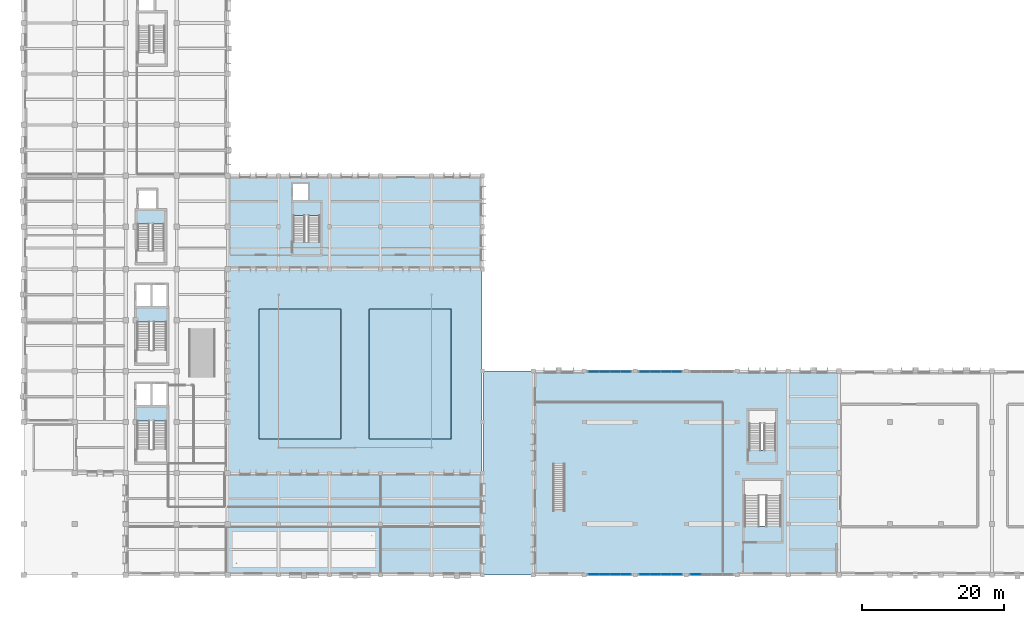
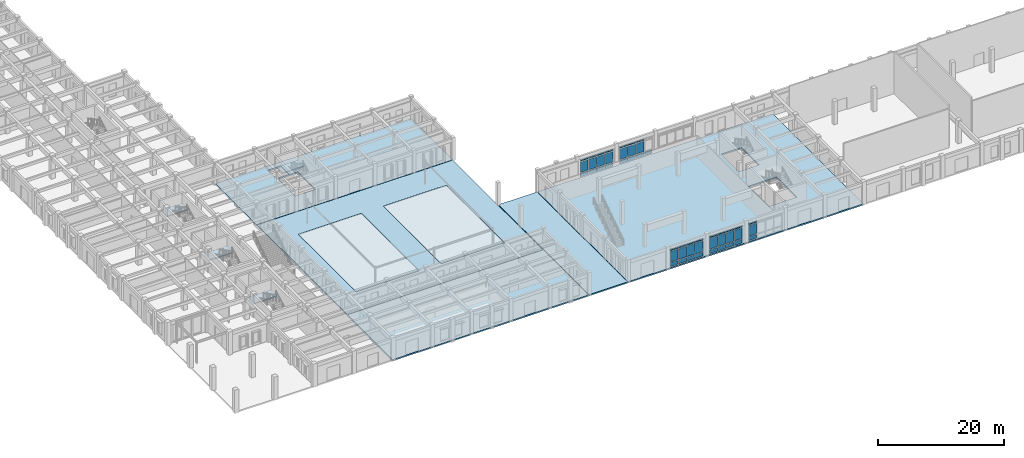
# One storey, part 16 of 43: 49 plates, 11 slabs, 9 elements without a shape of their own.
"""IFC4 building model written with IfcOpenShell, lengths in metres."""

import ifcopenshell
import ifcopenshell.guid

model = None  # the IFC model being written
_history = None  # IfcOwnerHistory: only IFC2X3 demands one
_inside = {}  # id of a spatial element -> (the spatial element, [elements in it])
_under = {}  # id of a project, library or spatial element -> (it, [spatial elements below it])
_declared = {}  # id of a project -> (the project, [libraries it declares])
_typed = {}  # id of a type object -> (the type object, [elements of that type])
_made_of = {}  # id of a material, layer set ... -> (it, [elements and type objects made of it])


def new_model(schema):
    """Start an empty IFC model of exactly this schema.

    Asked for "IFC4X3", IfcOpenShell would pick the latest addendum, in which some entities
    have other attributes; the version numbers below select the first issue.
    IFC2X3 requires an IfcOwnerHistory on every rooted entity: one is made here for all.
    """
    global model, _history
    if schema == "IFC4X3":
        model = ifcopenshell.file(schema_version=(4, 3, 0, 0))
    else:
        model = ifcopenshell.file(schema=schema)
    _inside.clear()
    _under.clear()
    _declared.clear()
    _typed.clear()
    _made_of.clear()
    _history = None
    if model.schema == "IFC2X3":
        org = make("IfcOrganization", Name="unknown")
        user = make(
            "IfcPersonAndOrganization",
            ThePerson=make("IfcPerson", FamilyName="unknown"),
            TheOrganization=org,
        )
        app = make(
            "IfcApplication",
            ApplicationDeveloper=org,
            Version="unknown",
            ApplicationFullName="unknown",
            ApplicationIdentifier="unknown",
        )
        _history = make(
            "IfcOwnerHistory",
            OwningUser=user,
            OwningApplication=app,
            ChangeAction="ADDED",
            CreationDate=0,
        )
    return model


def make(cls, **values):
    """One entity of the class cls with the attributes given. An attribute that is None is left unset."""
    return model.create_entity(
        cls, **{name: value for name, value in values.items() if value is not None}
    )


def rooted(cls, **values):
    """An entity with a GlobalId (a new one), such as an element, a storey or a relation."""
    return make(cls, GlobalId=ifcopenshell.guid.new(), OwnerHistory=_history, **values)


def si_unit(unit_type, name, prefix=None):
    """IfcSIUnit, for example si_unit("LENGTHUNIT", "METRE", prefix="MILLI")."""
    return make("IfcSIUnit", UnitType=unit_type, Prefix=prefix, Name=name)


def assignment(units):
    """IfcUnitAssignment: the units of a project."""
    return None if units is None else make("IfcUnitAssignment", Units=units)


def point(xyz):
    """IfcCartesianPoint."""
    return None if xyz is None else make("IfcCartesianPoint", Coordinates=xyz)


def direction(xyz):
    """IfcDirection."""
    return None if xyz is None else make("IfcDirection", DirectionRatios=xyz)


def frame(location, z_axis=None, x_axis=None):
    """IfcAxis2Placement3D, a coordinate frame: its origin and axes. An axis left out is left unset."""
    return make(
        "IfcAxis2Placement3D",
        Location=point(location),
        Axis=direction(z_axis),
        RefDirection=direction(x_axis),
    )


def frame_2d(location, x_axis=None):
    """IfcAxis2Placement2D, a coordinate frame in the plane: its origin and x axis."""
    return make(
        "IfcAxis2Placement2D", Location=point(location), RefDirection=direction(x_axis)
    )


def origin():
    """The frame at (0, 0, 0) with its axes left unset."""
    return frame((0.0, 0.0, 0.0))


def origin_2d():
    """The frame at (0, 0) in the plane with its x axis left unset."""
    return frame_2d((0.0, 0.0))


def place(relative_to, where):
    """IfcLocalPlacement: puts the frame where relative to a parent placement (None: the world)."""
    return make(
        "IfcLocalPlacement", PlacementRelTo=relative_to, RelativePlacement=where
    )


def context(
    kind, dimensions, precision=None, world=None, true_north=None, identifier=None
):
    """IfcGeometricRepresentationContext, for example the 3D "Model" context."""
    return make(
        "IfcGeometricRepresentationContext",
        ContextIdentifier=identifier,
        ContextType=kind,
        CoordinateSpaceDimension=dimensions,
        Precision=precision,
        WorldCoordinateSystem=world,
        TrueNorth=true_north,
    )


def subcontext(parent, identifier, kind, view, scale=None):
    """IfcGeometricRepresentationSubContext, for example "Body" below "Model"."""
    return make(
        "IfcGeometricRepresentationSubContext",
        ContextIdentifier=identifier,
        ContextType=kind,
        ParentContext=parent,
        TargetScale=scale,
        TargetView=view,
    )


def project(units=None, contexts=None):
    """IfcProject with its units and contexts."""
    return rooted(
        "IfcProject",
        Name="project",
        RepresentationContexts=contexts,
        UnitsInContext=assignment(units),
    )


def spatial(cls, under=None, at=None, **own):
    """A site, building, storey or space (cls), placed at a placement, below another one or the project."""
    s = rooted(cls, ObjectPlacement=at, **own)
    if under is not None:
        _under.setdefault(under.id(), (under, []))[1].append(s)
    return s


def polyline(points):
    """IfcPolyline through the points."""
    return make("IfcPolyline", Points=[point(p) for p in points])


def profile(cls, at=None, kind="AREA", **sizes):
    """A parametric profile (cls). Its sizes go by their IFC names, for example OverallWidth=200.0."""
    return make(cls, ProfileType=kind, Position=at, **sizes)


def rectangle(**sizes):
    """IfcRectangleProfileDef."""
    return profile("IfcRectangleProfileDef", **sizes)


def outline(outer, holes=None, kind="AREA"):
    """IfcArbitraryClosedProfileDef: a profile drawn as a closed curve; with holes, ...WithVoids."""
    if holes is None:
        return make("IfcArbitraryClosedProfileDef", ProfileType=kind, OuterCurve=outer)
    return make(
        "IfcArbitraryProfileDefWithVoids",
        ProfileType=kind,
        OuterCurve=outer,
        InnerCurves=holes,
    )


def extrude(swept, where, along, depth):
    """IfcExtrudedAreaSolid: the profile swept, set in the frame where, extruded along a direction by depth."""
    return make(
        "IfcExtrudedAreaSolid",
        SweptArea=swept,
        Position=where,
        ExtrudedDirection=direction(along),
        Depth=depth,
    )


def shape(context_of_items, identifier, shape_type, items):
    """IfcShapeRepresentation: the items that make up one representation, for example the "Body"."""
    return make(
        "IfcShapeRepresentation",
        ContextOfItems=context_of_items,
        RepresentationIdentifier=identifier,
        RepresentationType=shape_type,
        Items=items,
    )


def material(Name=None, Category=None):
    """IfcMaterial."""
    return make("IfcMaterial", Name=Name, Category=Category)


def layer(
    of_material, thickness, ventilated=None, Name=None, Category=None, Priority=None
):
    """IfcMaterialLayer: one layer of a wall or slab, of a material (None: an air gap)."""
    return make(
        "IfcMaterialLayer",
        Material=of_material,
        LayerThickness=thickness,
        IsVentilated=ventilated,
        Name=Name,
        Category=Category,
        Priority=Priority,
    )


def layer_set(layers, Name=None):
    """IfcMaterialLayerSet."""
    return make("IfcMaterialLayerSet", MaterialLayers=layers, LayerSetName=Name)


def made_of(thing, what):
    """Note that an element or type object is made of a material, layer set ...; save() writes the relation."""
    if what is not None:
        _made_of.setdefault(what.id(), (what, []))[1].append(thing)
    return thing


def type_object(cls, material=None, **own):
    """A type object (cls), such as IfcWallType, which elements share."""
    return made_of(rooted(cls, **own), material)


def element(
    cls,
    number,
    at=None,
    inside=None,
    cuts=None,
    type_object=None,
    material=None,
    context=None,
    identifier="Body",
    shape_type=None,
    held_by="IfcProductDefinitionShape",
    body=None,
    shapes=None,
    **own,
):
    """One element of the class cls, such as IfcWall. Its Tag is "e" and its number.

    at: its placement. inside: the storey or other place that contains it. cuts: it is an
    opening in that element (IfcRelVoidsElement). A single representation is given by context,
    identifier, shape_type and body (its items); several are given by shapes. held_by: the class
    of the entity that holds the representations. save() writes the other relations.
    """
    e = rooted(cls, Tag="e%d" % number, ObjectPlacement=at, **own)
    if body is not None:
        shapes = [shape(context, identifier, shape_type, body)]
    if shapes is not None:
        e.Representation = make(held_by, Representations=shapes)
    if inside is not None:
        _inside.setdefault(inside.id(), (inside, []))[1].append(e)
    if cuts is not None:
        rooted(
            "IfcRelVoidsElement", RelatingBuildingElement=cuts, RelatedOpeningElement=e
        )
    if type_object is not None:
        _typed.setdefault(type_object.id(), (type_object, []))[1].append(e)
    return made_of(e, material)


def aggregate(whole, parts):
    """IfcRelAggregates: a whole, such as a stair, and the parts it consists of."""
    return rooted("IfcRelAggregates", RelatingObject=whole, RelatedObjects=parts)


def save(model, path):
    """Write the relations noted so far, then the file.

    IfcRelAggregates (storeys below a building ...), IfcRelContainedInSpatialStructure (elements
    in a storey), IfcRelDefinesByType, IfcRelAssociatesMaterial and IfcRelDeclares: one each for
    every whole, place, type object, material and project.
    """
    for whole, parts in _under.values():
        aggregate(whole, parts)
    for where, things in _inside.values():
        rooted(
            "IfcRelContainedInSpatialStructure",
            RelatedElements=things,
            RelatingStructure=where,
        )
    for kind, things in _typed.values():
        rooted("IfcRelDefinesByType", RelatedObjects=things, RelatingType=kind)
    for what, things in _made_of.values():
        rooted("IfcRelAssociatesMaterial", RelatedObjects=things, RelatingMaterial=what)
    for by, libraries in _declared.values():
        rooted("IfcRelDeclares", RelatingContext=by, RelatedDefinitions=libraries)
    model.write(path)


model = new_model("IFC4")

# Units and contexts
model_context = context("Model", 3, precision=1e-05, world=origin(), true_north=direction((0.0, 1.0)))
body_context = subcontext(model_context, "Body", "Model", "MODEL_VIEW")
ifc_project = project(units=[si_unit("LENGTHUNIT", "METRE"), si_unit("AREAUNIT", "SQUARE_METRE"), si_unit("VOLUMEUNIT", "CUBIC_METRE"), si_unit("PLANEANGLEUNIT", "RADIAN"), si_unit("MASSUNIT", "GRAM", prefix="KILO")], contexts=[model_context])

# Site, building, storey
site_placement = place(None, origin())
site = spatial("IfcSite", under=ifc_project, at=site_placement, CompositionType="ELEMENT")
building_placement = place(site_placement, origin())
building = spatial("IfcBuilding", under=site, at=building_placement, Name="Alvorim Cloister Faculty of Sciences", CompositionType="ELEMENT")
storey_placement = place(building_placement, origin())
storey = spatial("IfcBuildingStorey", under=building, at=storey_placement, Name="L00", CompositionType="ELEMENT", Elevation=0.0)

# Curtain wall, plates
ifc_material_1 = material(Name="Aluminium and Low-E Glass Curtain Wall", Category="aluminium")
curtain_wall_type = type_object("IfcCurtainWallType", Name="CW-GLZ-6120x3630", PredefinedType="USERDEFINED", material=ifc_material_1)
curtain_wall_1_placement = place(storey_placement, origin())
curtain_wall_1 = element("IfcCurtainWall", 1, at=curtain_wall_1_placement, inside=storey, type_object=curtain_wall_type, Name="L00 Entrance and Atrium Glazed Curtain Wall CW-0001", ObjectType="UNITISED CURTAIN WALL", PredefinedType="USERDEFINED")
ifc_material_2 = material(Name="Double Low-E Laminated Glass", Category="glass")
ifc_layer_1 = layer(ifc_material_2, 0.031982421875)
ifc_layer_set_1 = layer_set([ifc_layer_1], Name="Double Low-E Laminated Glass")
plate_type_1 = type_object("IfcPlateType", Name="PN-GLZ-32", PredefinedType="CURTAIN_PANEL", material=ifc_layer_set_1)
plate_1_placement = place(storey_placement, frame((94.923828125, 0.090087890625, 0.159912109375), z_axis=(0.0, 0.0, 1.0), x_axis=(1.0, 0.0, 0.0)))
plate_1 = element("IfcPlate", 2, at=plate_1_placement, type_object=plate_type_1, Name="CW-01 panel 1.1", PredefinedType="CURTAIN_PANEL", context=body_context, shape_type="SweptSolid", body=[
    extrude(rectangle(XDim=1.41748046875, YDim=0.031982421875, at=origin_2d()), origin(), (0.0, 0.0, 1.0), 0.7099609375),
])
plate_2_placement = place(storey_placement, frame((94.923828125, 0.090087890625, 1.030029296875), z_axis=(0.0, 0.0, 1.0), x_axis=(1.0, 0.0, 0.0)))
plate_2 = element("IfcPlate", 3, at=plate_2_placement, type_object=plate_type_1, Name="CW-01 panel 1.2", PredefinedType="CURTAIN_PANEL", context=body_context, shape_type="SweptSolid", body=[
    extrude(rectangle(XDim=1.41748046875, YDim=0.031982421875, at=origin_2d()), origin(), (0.0, 0.0, 1.0), 2.02001953125),
])
plate_3_placement = place(storey_placement, frame((94.923828125, 0.090087890625, 3.2099609375), z_axis=(0.0, 0.0, 1.0), x_axis=(1.0, 0.0, 0.0)))
plate_3 = element("IfcPlate", 4, at=plate_3_placement, type_object=plate_type_1, Name="CW-01 panel 1.3", PredefinedType="CURTAIN_PANEL", context=body_context, shape_type="SweptSolid", body=[
    extrude(rectangle(XDim=1.41748046875, YDim=0.031982421875, at=origin_2d()), origin(), (0.0, 0.0, 1.0), 0.260009765625),
])
aggregate(curtain_wall_1, [plate_1, plate_2, plate_3])

curtain_wall_2_placement = place(storey_placement, origin())
curtain_wall_2 = element("IfcCurtainWall", 5, at=curtain_wall_2_placement, inside=storey, type_object=curtain_wall_type, Name="L00 Entrance and Atrium Glazed Curtain Wall CW-0003", ObjectType="UNITISED CURTAIN WALL", PredefinedType="USERDEFINED")
plate_4_placement = place(storey_placement, frame((80.523681640625, 0.090087890625, 0.159912109375), z_axis=(0.0, 0.0, 1.0), x_axis=(1.0, 0.0, 0.0)))
plate_4 = element("IfcPlate", 6, at=plate_4_placement, type_object=plate_type_1, Name="CW-01 panel 1.1", PredefinedType="CURTAIN_PANEL", context=body_context, shape_type="SweptSolid", body=[
    extrude(rectangle(XDim=1.41748046875, YDim=0.031982421875, at=origin_2d()), origin(), (0.0, 0.0, 1.0), 0.7099609375),
])
plate_5_placement = place(storey_placement, frame((80.523681640625, 0.090087890625, 1.030029296875), z_axis=(0.0, 0.0, 1.0), x_axis=(1.0, 0.0, 0.0)))
plate_5 = element("IfcPlate", 7, at=plate_5_placement, type_object=plate_type_1, Name="CW-01 panel 1.2", PredefinedType="CURTAIN_PANEL", context=body_context, shape_type="SweptSolid", body=[
    extrude(rectangle(XDim=1.41748046875, YDim=0.031982421875, at=origin_2d()), origin(), (0.0, 0.0, 1.0), 2.02001953125),
])
plate_6_placement = place(storey_placement, frame((80.523681640625, 0.090087890625, 3.2099609375), z_axis=(0.0, 0.0, 1.0), x_axis=(1.0, 0.0, 0.0)))
plate_6 = element("IfcPlate", 8, at=plate_6_placement, type_object=plate_type_1, Name="CW-01 panel 1.3", PredefinedType="CURTAIN_PANEL", context=body_context, shape_type="SweptSolid", body=[
    extrude(rectangle(XDim=1.41748046875, YDim=0.031982421875, at=origin_2d()), origin(), (0.0, 0.0, 1.0), 0.260009765625),
])
plate_7_placement = place(storey_placement, frame((82.034912109375, 0.090087890625, 0.159912109375), z_axis=(0.0, 0.0, 1.0), x_axis=(1.0, 0.0, 0.0)))
plate_7 = element("IfcPlate", 9, at=plate_7_placement, type_object=plate_type_1, Name="CW-01 panel 2.1", PredefinedType="CURTAIN_PANEL", context=body_context, shape_type="SweptSolid", body=[
    extrude(rectangle(XDim=1.455078125, YDim=0.031982421875, at=origin_2d()), origin(), (0.0, 0.0, 1.0), 0.7099609375),
])
plate_8_placement = place(storey_placement, frame((82.034912109375, 0.090087890625, 1.030029296875), z_axis=(0.0, 0.0, 1.0), x_axis=(1.0, 0.0, 0.0)))
plate_8 = element("IfcPlate", 10, at=plate_8_placement, type_object=plate_type_1, Name="CW-01 panel 2.2", PredefinedType="CURTAIN_PANEL", context=body_context, shape_type="SweptSolid", body=[
    extrude(rectangle(XDim=1.455078125, YDim=0.031982421875, at=origin_2d()), origin(), (0.0, 0.0, 1.0), 2.02001953125),
])
plate_9_placement = place(storey_placement, frame((82.034912109375, 0.090087890625, 3.2099609375), z_axis=(0.0, 0.0, 1.0), x_axis=(1.0, 0.0, 0.0)))
plate_9 = element("IfcPlate", 11, at=plate_9_placement, type_object=plate_type_1, Name="CW-01 panel 2.3", PredefinedType="CURTAIN_PANEL", context=body_context, shape_type="SweptSolid", body=[
    extrude(rectangle(XDim=1.455078125, YDim=0.031982421875, at=origin_2d()), origin(), (0.0, 0.0, 1.0), 0.260009765625),
])
plate_10_placement = place(storey_placement, frame((83.56494140625, 0.090087890625, 0.159912109375), z_axis=(0.0, 0.0, 1.0), x_axis=(1.0, 0.0, 0.0)))
plate_10 = element("IfcPlate", 12, at=plate_10_placement, type_object=plate_type_1, Name="CW-01 panel 3.1", PredefinedType="CURTAIN_PANEL", context=body_context, shape_type="SweptSolid", body=[
    extrude(rectangle(XDim=1.455078125, YDim=0.031982421875, at=origin_2d()), origin(), (0.0, 0.0, 1.0), 0.7099609375),
])
plate_11_placement = place(storey_placement, frame((83.56494140625, 0.090087890625, 1.030029296875), z_axis=(0.0, 0.0, 1.0), x_axis=(1.0, 0.0, 0.0)))
plate_11 = element("IfcPlate", 13, at=plate_11_placement, type_object=plate_type_1, Name="CW-01 panel 3.2", PredefinedType="CURTAIN_PANEL", context=body_context, shape_type="SweptSolid", body=[
    extrude(rectangle(XDim=1.455078125, YDim=0.031982421875, at=origin_2d()), origin(), (0.0, 0.0, 1.0), 2.02001953125),
])
plate_12_placement = place(storey_placement, frame((83.56494140625, 0.090087890625, 3.2099609375), z_axis=(0.0, 0.0, 1.0), x_axis=(1.0, 0.0, 0.0)))
plate_12 = element("IfcPlate", 14, at=plate_12_placement, type_object=plate_type_1, Name="CW-01 panel 3.3", PredefinedType="CURTAIN_PANEL", context=body_context, shape_type="SweptSolid", body=[
    extrude(rectangle(XDim=1.455078125, YDim=0.031982421875, at=origin_2d()), origin(), (0.0, 0.0, 1.0), 0.260009765625),
])
plate_13_placement = place(storey_placement, frame((85.076171875, 0.090087890625, 0.159912109375), z_axis=(0.0, 0.0, 1.0), x_axis=(1.0, 0.0, 0.0)))
plate_13 = element("IfcPlate", 15, at=plate_13_placement, type_object=plate_type_1, Name="CW-01 panel 4.1", PredefinedType="CURTAIN_PANEL", context=body_context, shape_type="SweptSolid", body=[
    extrude(rectangle(XDim=1.41748046875, YDim=0.031982421875, at=origin_2d()), origin(), (0.0, 0.0, 1.0), 0.7099609375),
])
plate_14_placement = place(storey_placement, frame((85.076171875, 0.090087890625, 1.030029296875), z_axis=(0.0, 0.0, 1.0), x_axis=(1.0, 0.0, 0.0)))
plate_14 = element("IfcPlate", 16, at=plate_14_placement, type_object=plate_type_1, Name="CW-01 panel 4.2", PredefinedType="CURTAIN_PANEL", context=body_context, shape_type="SweptSolid", body=[
    extrude(rectangle(XDim=1.41748046875, YDim=0.031982421875, at=origin_2d()), origin(), (0.0, 0.0, 1.0), 2.02001953125),
])
plate_15_placement = place(storey_placement, frame((85.076171875, 0.090087890625, 3.2099609375), z_axis=(0.0, 0.0, 1.0), x_axis=(1.0, 0.0, 0.0)))
plate_15 = element("IfcPlate", 17, at=plate_15_placement, type_object=plate_type_1, Name="CW-01 panel 4.3", PredefinedType="CURTAIN_PANEL", context=body_context, shape_type="SweptSolid", body=[
    extrude(rectangle(XDim=1.41748046875, YDim=0.031982421875, at=origin_2d()), origin(), (0.0, 0.0, 1.0), 0.260009765625),
])
aggregate(curtain_wall_2, [plate_4, plate_5, plate_6, plate_7, plate_8, plate_9, plate_10, plate_11, plate_12, plate_13, plate_14, plate_15])

curtain_wall_3_placement = place(storey_placement, origin())
curtain_wall_3 = element("IfcCurtainWall", 18, at=curtain_wall_3_placement, inside=storey, type_object=curtain_wall_type, Name="L00 Entrance and Atrium Glazed Curtain Wall CW-0005", ObjectType="UNITISED CURTAIN WALL", PredefinedType="USERDEFINED")
plate_16_placement = place(storey_placement, frame((87.7236328125, 28.7099609375, 0.159912109375), z_axis=(0.0, 0.0, 1.0), x_axis=(1.0, 0.0, 0.0)))
plate_16 = element("IfcPlate", 19, at=plate_16_placement, type_object=plate_type_1, Name="CW-01 panel 1.1", PredefinedType="CURTAIN_PANEL", context=body_context, shape_type="SweptSolid", body=[
    extrude(rectangle(XDim=1.41748046875, YDim=0.031982421875, at=origin_2d()), origin(), (0.0, 0.0, 1.0), 0.7099609375),
])
plate_17_placement = place(storey_placement, frame((87.7236328125, 28.7099609375, 1.030029296875), z_axis=(0.0, 0.0, 1.0), x_axis=(1.0, 0.0, 0.0)))
plate_17 = element("IfcPlate", 20, at=plate_17_placement, type_object=plate_type_1, Name="CW-01 panel 1.2", PredefinedType="CURTAIN_PANEL", context=body_context, shape_type="SweptSolid", body=[
    extrude(rectangle(XDim=1.41748046875, YDim=0.031982421875, at=origin_2d()), origin(), (0.0, 0.0, 1.0), 2.02001953125),
])
plate_18_placement = place(storey_placement, frame((87.7236328125, 28.7099609375, 3.2099609375), z_axis=(0.0, 0.0, 1.0), x_axis=(1.0, 0.0, 0.0)))
plate_18 = element("IfcPlate", 21, at=plate_18_placement, type_object=plate_type_1, Name="CW-01 panel 1.3", PredefinedType="CURTAIN_PANEL", context=body_context, shape_type="SweptSolid", body=[
    extrude(rectangle(XDim=1.41748046875, YDim=0.031982421875, at=origin_2d()), origin(), (0.0, 0.0, 1.0), 0.260009765625),
])
plate_19_placement = place(storey_placement, frame((89.235107421875, 28.7099609375, 0.159912109375), z_axis=(0.0, 0.0, 1.0), x_axis=(1.0, 0.0, 0.0)))
plate_19 = element("IfcPlate", 22, at=plate_19_placement, type_object=plate_type_1, Name="CW-01 panel 2.1", PredefinedType="CURTAIN_PANEL", context=body_context, shape_type="SweptSolid", body=[
    extrude(rectangle(XDim=1.455078125, YDim=0.031982421875, at=origin_2d()), origin(), (0.0, 0.0, 1.0), 0.7099609375),
])
plate_20_placement = place(storey_placement, frame((89.235107421875, 28.7099609375, 1.030029296875), z_axis=(0.0, 0.0, 1.0), x_axis=(1.0, 0.0, 0.0)))
plate_20 = element("IfcPlate", 23, at=plate_20_placement, type_object=plate_type_1, Name="CW-01 panel 2.2", PredefinedType="CURTAIN_PANEL", context=body_context, shape_type="SweptSolid", body=[
    extrude(rectangle(XDim=1.455078125, YDim=0.031982421875, at=origin_2d()), origin(), (0.0, 0.0, 1.0), 2.02001953125),
])
plate_21_placement = place(storey_placement, frame((89.235107421875, 28.7099609375, 3.2099609375), z_axis=(0.0, 0.0, 1.0), x_axis=(1.0, 0.0, 0.0)))
plate_21 = element("IfcPlate", 24, at=plate_21_placement, type_object=plate_type_1, Name="CW-01 panel 2.3", PredefinedType="CURTAIN_PANEL", context=body_context, shape_type="SweptSolid", body=[
    extrude(rectangle(XDim=1.455078125, YDim=0.031982421875, at=origin_2d()), origin(), (0.0, 0.0, 1.0), 0.260009765625),
])
plate_22_placement = place(storey_placement, frame((90.764892578125, 28.7099609375, 0.159912109375), z_axis=(0.0, 0.0, 1.0), x_axis=(1.0, 0.0, 0.0)))
plate_22 = element("IfcPlate", 25, at=plate_22_placement, type_object=plate_type_1, Name="CW-01 panel 3.1", PredefinedType="CURTAIN_PANEL", context=body_context, shape_type="SweptSolid", body=[
    extrude(rectangle(XDim=1.455078125, YDim=0.031982421875, at=origin_2d()), origin(), (0.0, 0.0, 1.0), 0.7099609375),
])
plate_23_placement = place(storey_placement, frame((90.764892578125, 28.7099609375, 1.030029296875), z_axis=(0.0, 0.0, 1.0), x_axis=(1.0, 0.0, 0.0)))
plate_23 = element("IfcPlate", 26, at=plate_23_placement, type_object=plate_type_1, Name="CW-01 panel 3.2", PredefinedType="CURTAIN_PANEL", context=body_context, shape_type="SweptSolid", body=[
    extrude(rectangle(XDim=1.455078125, YDim=0.031982421875, at=origin_2d()), origin(), (0.0, 0.0, 1.0), 2.02001953125),
])
plate_24_placement = place(storey_placement, frame((90.764892578125, 28.7099609375, 3.2099609375), z_axis=(0.0, 0.0, 1.0), x_axis=(1.0, 0.0, 0.0)))
plate_24 = element("IfcPlate", 27, at=plate_24_placement, type_object=plate_type_1, Name="CW-01 panel 3.3", PredefinedType="CURTAIN_PANEL", context=body_context, shape_type="SweptSolid", body=[
    extrude(rectangle(XDim=1.455078125, YDim=0.031982421875, at=origin_2d()), origin(), (0.0, 0.0, 1.0), 0.260009765625),
])
plate_25_placement = place(storey_placement, frame((92.2763671875, 28.7099609375, 0.159912109375), z_axis=(0.0, 0.0, 1.0), x_axis=(1.0, 0.0, 0.0)))
plate_25 = element("IfcPlate", 28, at=plate_25_placement, type_object=plate_type_1, Name="CW-01 panel 4.1", PredefinedType="CURTAIN_PANEL", context=body_context, shape_type="SweptSolid", body=[
    extrude(rectangle(XDim=1.41748046875, YDim=0.031982421875, at=origin_2d()), origin(), (0.0, 0.0, 1.0), 0.7099609375),
])
aggregate(curtain_wall_3, [plate_16, plate_17, plate_18, plate_19, plate_20, plate_21, plate_22, plate_23, plate_24, plate_25])

curtain_wall_4_placement = place(storey_placement, origin())
curtain_wall_4 = element("IfcCurtainWall", 29, at=curtain_wall_4_placement, inside=storey, type_object=curtain_wall_type, Name="L00 Entrance and Atrium Glazed Curtain Wall CW-0002", ObjectType="UNITISED CURTAIN WALL", PredefinedType="USERDEFINED")
ifc_layer_2 = layer(ifc_material_2, 0.0400390625)
ifc_layer_set_2 = layer_set([ifc_layer_2], Name="Double Low-E Laminated Glass")
plate_type_2 = type_object("IfcPlateType", Name="PN-GLZ-40", PredefinedType="CURTAIN_PANEL", material=ifc_layer_set_2)
plate_26_placement = place(storey_placement, frame((87.7236328125, 0.090087890625, 0.159912109375), z_axis=(0.0, 0.0, 1.0), x_axis=(1.0, 0.0, 0.0)))
plate_26 = element("IfcPlate", 30, at=plate_26_placement, type_object=plate_type_2, Name="CW-01 panel 1.1", PredefinedType="CURTAIN_PANEL", context=body_context, shape_type="SweptSolid", body=[
    extrude(rectangle(XDim=1.41748046875, YDim=0.0400390625, at=origin_2d()), origin(), (0.0, 0.0, 1.0), 0.7099609375),
])
plate_27_placement = place(storey_placement, frame((87.7236328125, 0.090087890625, 1.030029296875), z_axis=(0.0, 0.0, 1.0), x_axis=(1.0, 0.0, 0.0)))
plate_27 = element("IfcPlate", 31, at=plate_27_placement, type_object=plate_type_2, Name="CW-01 panel 1.2", PredefinedType="CURTAIN_PANEL", context=body_context, shape_type="SweptSolid", body=[
    extrude(rectangle(XDim=1.41748046875, YDim=0.0400390625, at=origin_2d()), origin(), (0.0, 0.0, 1.0), 2.02001953125),
])
plate_28_placement = place(storey_placement, frame((87.7236328125, 0.090087890625, 3.2099609375), z_axis=(0.0, 0.0, 1.0), x_axis=(1.0, 0.0, 0.0)))
plate_28 = element("IfcPlate", 32, at=plate_28_placement, type_object=plate_type_2, Name="CW-01 panel 1.3", PredefinedType="CURTAIN_PANEL", context=body_context, shape_type="SweptSolid", body=[
    extrude(rectangle(XDim=1.41748046875, YDim=0.0400390625, at=origin_2d()), origin(), (0.0, 0.0, 1.0), 0.260009765625),
])
plate_29_placement = place(storey_placement, frame((89.235107421875, 0.090087890625, 0.159912109375), z_axis=(0.0, 0.0, 1.0), x_axis=(1.0, 0.0, 0.0)))
plate_29 = element("IfcPlate", 33, at=plate_29_placement, type_object=plate_type_2, Name="CW-01 panel 2.1", PredefinedType="CURTAIN_PANEL", context=body_context, shape_type="SweptSolid", body=[
    extrude(rectangle(XDim=1.455078125, YDim=0.0400390625, at=origin_2d()), origin(), (0.0, 0.0, 1.0), 0.7099609375),
])
plate_30_placement = place(storey_placement, frame((89.235107421875, 0.090087890625, 1.030029296875), z_axis=(0.0, 0.0, 1.0), x_axis=(1.0, 0.0, 0.0)))
plate_30 = element("IfcPlate", 34, at=plate_30_placement, type_object=plate_type_2, Name="CW-01 panel 2.2", PredefinedType="CURTAIN_PANEL", context=body_context, shape_type="SweptSolid", body=[
    extrude(rectangle(XDim=1.455078125, YDim=0.0400390625, at=origin_2d()), origin(), (0.0, 0.0, 1.0), 2.02001953125),
])
plate_31_placement = place(storey_placement, frame((89.235107421875, 0.090087890625, 3.2099609375), z_axis=(0.0, 0.0, 1.0), x_axis=(1.0, 0.0, 0.0)))
plate_31 = element("IfcPlate", 35, at=plate_31_placement, type_object=plate_type_2, Name="CW-01 panel 2.3", PredefinedType="CURTAIN_PANEL", context=body_context, shape_type="SweptSolid", body=[
    extrude(rectangle(XDim=1.455078125, YDim=0.0400390625, at=origin_2d()), origin(), (0.0, 0.0, 1.0), 0.260009765625),
])
plate_32_placement = place(storey_placement, frame((90.764892578125, 0.090087890625, 0.159912109375), z_axis=(0.0, 0.0, 1.0), x_axis=(1.0, 0.0, 0.0)))
plate_32 = element("IfcPlate", 36, at=plate_32_placement, type_object=plate_type_2, Name="CW-01 panel 3.1", PredefinedType="CURTAIN_PANEL", context=body_context, shape_type="SweptSolid", body=[
    extrude(rectangle(XDim=1.455078125, YDim=0.0400390625, at=origin_2d()), origin(), (0.0, 0.0, 1.0), 0.7099609375),
])
plate_33_placement = place(storey_placement, frame((90.764892578125, 0.090087890625, 1.030029296875), z_axis=(0.0, 0.0, 1.0), x_axis=(1.0, 0.0, 0.0)))
plate_33 = element("IfcPlate", 37, at=plate_33_placement, type_object=plate_type_2, Name="CW-01 panel 3.2", PredefinedType="CURTAIN_PANEL", context=body_context, shape_type="SweptSolid", body=[
    extrude(rectangle(XDim=1.455078125, YDim=0.0400390625, at=origin_2d()), origin(), (0.0, 0.0, 1.0), 2.02001953125),
])
plate_34_placement = place(storey_placement, frame((90.764892578125, 0.090087890625, 3.2099609375), z_axis=(0.0, 0.0, 1.0), x_axis=(1.0, 0.0, 0.0)))
plate_34 = element("IfcPlate", 38, at=plate_34_placement, type_object=plate_type_2, Name="CW-01 panel 3.3", PredefinedType="CURTAIN_PANEL", context=body_context, shape_type="SweptSolid", body=[
    extrude(rectangle(XDim=1.455078125, YDim=0.0400390625, at=origin_2d()), origin(), (0.0, 0.0, 1.0), 0.260009765625),
])
plate_35_placement = place(storey_placement, frame((92.2763671875, 0.090087890625, 0.159912109375), z_axis=(0.0, 0.0, 1.0), x_axis=(1.0, 0.0, 0.0)))
plate_35 = element("IfcPlate", 39, at=plate_35_placement, type_object=plate_type_2, Name="CW-01 panel 4.1", PredefinedType="CURTAIN_PANEL", context=body_context, shape_type="SweptSolid", body=[
    extrude(rectangle(XDim=1.41748046875, YDim=0.0400390625, at=origin_2d()), origin(), (0.0, 0.0, 1.0), 0.7099609375),
])
plate_36_placement = place(storey_placement, frame((92.2763671875, 0.090087890625, 1.030029296875), z_axis=(0.0, 0.0, 1.0), x_axis=(1.0, 0.0, 0.0)))
plate_36 = element("IfcPlate", 40, at=plate_36_placement, type_object=plate_type_2, Name="CW-01 panel 4.2", PredefinedType="CURTAIN_PANEL", context=body_context, shape_type="SweptSolid", body=[
    extrude(rectangle(XDim=1.41748046875, YDim=0.0400390625, at=origin_2d()), origin(), (0.0, 0.0, 1.0), 2.02001953125),
])
plate_37_placement = place(storey_placement, frame((92.2763671875, 0.090087890625, 3.2099609375), z_axis=(0.0, 0.0, 1.0), x_axis=(1.0, 0.0, 0.0)))
plate_37 = element("IfcPlate", 41, at=plate_37_placement, type_object=plate_type_2, Name="CW-01 panel 4.3", PredefinedType="CURTAIN_PANEL", context=body_context, shape_type="SweptSolid", body=[
    extrude(rectangle(XDim=1.41748046875, YDim=0.0400390625, at=origin_2d()), origin(), (0.0, 0.0, 1.0), 0.260009765625),
])
aggregate(curtain_wall_4, [plate_26, plate_27, plate_28, plate_29, plate_30, plate_31, plate_32, plate_33, plate_34, plate_35, plate_36, plate_37])

curtain_wall_5_placement = place(storey_placement, origin())
curtain_wall_5 = element("IfcCurtainWall", 42, at=curtain_wall_5_placement, inside=storey, type_object=curtain_wall_type, Name="L00 Entrance and Atrium Glazed Curtain Wall CW-0004", ObjectType="UNITISED CURTAIN WALL", PredefinedType="USERDEFINED")
plate_38_placement = place(storey_placement, frame((80.523681640625, 28.7099609375, 0.159912109375), z_axis=(0.0, 0.0, 1.0), x_axis=(1.0, 0.0, 0.0)))
plate_38 = element("IfcPlate", 43, at=plate_38_placement, type_object=plate_type_2, Name="CW-01 panel 1.1", PredefinedType="CURTAIN_PANEL", context=body_context, shape_type="SweptSolid", body=[
    extrude(rectangle(XDim=1.41748046875, YDim=0.0400390625, at=origin_2d()), origin(), (0.0, 0.0, 1.0), 0.7099609375),
])
plate_39_placement = place(storey_placement, frame((80.523681640625, 28.7099609375, 1.030029296875), z_axis=(0.0, 0.0, 1.0), x_axis=(1.0, 0.0, 0.0)))
plate_39 = element("IfcPlate", 44, at=plate_39_placement, type_object=plate_type_2, Name="CW-01 panel 1.2", PredefinedType="CURTAIN_PANEL", context=body_context, shape_type="SweptSolid", body=[
    extrude(rectangle(XDim=1.41748046875, YDim=0.0400390625, at=origin_2d()), origin(), (0.0, 0.0, 1.0), 2.02001953125),
])
plate_40_placement = place(storey_placement, frame((80.523681640625, 28.7099609375, 3.2099609375), z_axis=(0.0, 0.0, 1.0), x_axis=(1.0, 0.0, 0.0)))
plate_40 = element("IfcPlate", 45, at=plate_40_placement, type_object=plate_type_2, Name="CW-01 panel 1.3", PredefinedType="CURTAIN_PANEL", context=body_context, shape_type="SweptSolid", body=[
    extrude(rectangle(XDim=1.41748046875, YDim=0.0400390625, at=origin_2d()), origin(), (0.0, 0.0, 1.0), 0.260009765625),
])
plate_41_placement = place(storey_placement, frame((82.034912109375, 28.7099609375, 0.159912109375), z_axis=(0.0, 0.0, 1.0), x_axis=(1.0, 0.0, 0.0)))
plate_41 = element("IfcPlate", 46, at=plate_41_placement, type_object=plate_type_2, Name="CW-01 panel 2.1", PredefinedType="CURTAIN_PANEL", context=body_context, shape_type="SweptSolid", body=[
    extrude(rectangle(XDim=1.455078125, YDim=0.0400390625, at=origin_2d()), origin(), (0.0, 0.0, 1.0), 0.7099609375),
])
plate_42_placement = place(storey_placement, frame((82.034912109375, 28.7099609375, 1.030029296875), z_axis=(0.0, 0.0, 1.0), x_axis=(1.0, 0.0, 0.0)))
plate_42 = element("IfcPlate", 47, at=plate_42_placement, type_object=plate_type_2, Name="CW-01 panel 2.2", PredefinedType="CURTAIN_PANEL", context=body_context, shape_type="SweptSolid", body=[
    extrude(rectangle(XDim=1.455078125, YDim=0.0400390625, at=origin_2d()), origin(), (0.0, 0.0, 1.0), 2.02001953125),
])
plate_43_placement = place(storey_placement, frame((82.034912109375, 28.7099609375, 3.2099609375), z_axis=(0.0, 0.0, 1.0), x_axis=(1.0, 0.0, 0.0)))
plate_43 = element("IfcPlate", 48, at=plate_43_placement, type_object=plate_type_2, Name="CW-01 panel 2.3", PredefinedType="CURTAIN_PANEL", context=body_context, shape_type="SweptSolid", body=[
    extrude(rectangle(XDim=1.455078125, YDim=0.0400390625, at=origin_2d()), origin(), (0.0, 0.0, 1.0), 0.260009765625),
])
plate_44_placement = place(storey_placement, frame((83.56494140625, 28.7099609375, 0.159912109375), z_axis=(0.0, 0.0, 1.0), x_axis=(1.0, 0.0, 0.0)))
plate_44 = element("IfcPlate", 49, at=plate_44_placement, type_object=plate_type_2, Name="CW-01 panel 3.1", PredefinedType="CURTAIN_PANEL", context=body_context, shape_type="SweptSolid", body=[
    extrude(rectangle(XDim=1.455078125, YDim=0.0400390625, at=origin_2d()), origin(), (0.0, 0.0, 1.0), 0.7099609375),
])
plate_45_placement = place(storey_placement, frame((83.56494140625, 28.7099609375, 1.030029296875), z_axis=(0.0, 0.0, 1.0), x_axis=(1.0, 0.0, 0.0)))
plate_45 = element("IfcPlate", 50, at=plate_45_placement, type_object=plate_type_2, Name="CW-01 panel 3.2", PredefinedType="CURTAIN_PANEL", context=body_context, shape_type="SweptSolid", body=[
    extrude(rectangle(XDim=1.455078125, YDim=0.0400390625, at=origin_2d()), origin(), (0.0, 0.0, 1.0), 2.02001953125),
])
plate_46_placement = place(storey_placement, frame((83.56494140625, 28.7099609375, 3.2099609375), z_axis=(0.0, 0.0, 1.0), x_axis=(1.0, 0.0, 0.0)))
plate_46 = element("IfcPlate", 51, at=plate_46_placement, type_object=plate_type_2, Name="CW-01 panel 3.3", PredefinedType="CURTAIN_PANEL", context=body_context, shape_type="SweptSolid", body=[
    extrude(rectangle(XDim=1.455078125, YDim=0.0400390625, at=origin_2d()), origin(), (0.0, 0.0, 1.0), 0.260009765625),
])
plate_47_placement = place(storey_placement, frame((85.076171875, 28.7099609375, 0.159912109375), z_axis=(0.0, 0.0, 1.0), x_axis=(1.0, 0.0, 0.0)))
plate_47 = element("IfcPlate", 52, at=plate_47_placement, type_object=plate_type_2, Name="CW-01 panel 4.1", PredefinedType="CURTAIN_PANEL", context=body_context, shape_type="SweptSolid", body=[
    extrude(rectangle(XDim=1.41748046875, YDim=0.0400390625, at=origin_2d()), origin(), (0.0, 0.0, 1.0), 0.7099609375),
])
plate_48_placement = place(storey_placement, frame((85.076171875, 28.7099609375, 1.030029296875), z_axis=(0.0, 0.0, 1.0), x_axis=(1.0, 0.0, 0.0)))
plate_48 = element("IfcPlate", 53, at=plate_48_placement, type_object=plate_type_2, Name="CW-01 panel 4.2", PredefinedType="CURTAIN_PANEL", context=body_context, shape_type="SweptSolid", body=[
    extrude(rectangle(XDim=1.41748046875, YDim=0.0400390625, at=origin_2d()), origin(), (0.0, 0.0, 1.0), 2.02001953125),
])
plate_49_placement = place(storey_placement, frame((85.076171875, 28.7099609375, 3.2099609375), z_axis=(0.0, 0.0, 1.0), x_axis=(1.0, 0.0, 0.0)))
plate_49 = element("IfcPlate", 54, at=plate_49_placement, type_object=plate_type_2, Name="CW-01 panel 4.3", PredefinedType="CURTAIN_PANEL", context=body_context, shape_type="SweptSolid", body=[
    extrude(rectangle(XDim=1.41748046875, YDim=0.0400390625, at=origin_2d()), origin(), (0.0, 0.0, 1.0), 0.260009765625),
])
aggregate(curtain_wall_5, [plate_38, plate_39, plate_40, plate_41, plate_42, plate_43, plate_44, plate_45, plate_46, plate_47, plate_48, plate_49])

# Stair, slab
ifc_material_3 = material(Name="Concrete C40", Category="concrete")
stair_type_1 = type_object("IfcStairType", Name="STR-ST-01-1780x4500", PredefinedType="HALF_TURN_STAIR", material=ifc_material_3)
stair_1_placement = place(storey_placement, origin())
stair_1 = element("IfcStair", 55, at=stair_1_placement, inside=storey, type_object=stair_type_1, Name="L00 Enclosed Smoke-Proof Stair ST-01", PredefinedType="HALF_TURN_STAIR")
ifc_layer_3 = layer(ifc_material_3, 0.199951171875)
ifc_layer_set_3 = layer_set([ifc_layer_3], Name="Concrete C40")
slab_type_1 = type_object("IfcSlabType", Name="SL-LAND-200", PredefinedType="LANDING", material=ifc_layer_set_3)
slab_1_placement = place(storey_placement, frame((0.0, 0.0, 2.050048828125)))
slab_1 = element("IfcSlab", 56, at=slab_1_placement, type_object=slab_type_1, Name="ST-01 landing 1", PredefinedType="LANDING", context=body_context, shape_type="SweptSolid", body=[
    extrude(outline(polyline([(20.239990234375, 21.739990234375), (20.239990234375, 23.719970703125), (15.8798828125, 23.719970703125), (15.8798828125, 21.739990234375), (20.239990234375, 21.739990234375)])), origin(), (0.0, 0.0, 1.0), 0.199951171875),
])
aggregate(stair_1, [slab_1])

stair_type_2 = type_object("IfcStairType", Name="STR-ST-02-1780x4500", PredefinedType="HALF_TURN_STAIR", material=ifc_material_3)
stair_2_placement = place(storey_placement, origin())
stair_2 = element("IfcStair", 57, at=stair_2_placement, inside=storey, type_object=stair_type_2, Name="L00 Enclosed Smoke-Proof Stair ST-02", PredefinedType="HALF_TURN_STAIR")
slab_2_placement = place(storey_placement, frame((0.0, 0.0, 2.050048828125)))
slab_2 = element("IfcSlab", 58, at=slab_2_placement, type_object=slab_type_1, Name="ST-02 landing 1", PredefinedType="LANDING", context=body_context, shape_type="SweptSolid", body=[
    extrude(outline(polyline([(20.239990234375, 35.739990234375), (20.239990234375, 37.719970703125), (15.8798828125, 37.719970703125), (15.8798828125, 35.739990234375), (20.239990234375, 35.739990234375)])), origin(), (0.0, 0.0, 1.0), 0.199951171875),
])
aggregate(stair_2, [slab_2])

stair_type_3 = type_object("IfcStairType", Name="STR-ST-03-1600x4500", PredefinedType="HALF_TURN_STAIR", material=ifc_material_3)
stair_3_placement = place(storey_placement, origin())
stair_3 = element("IfcStair", 59, at=stair_3_placement, inside=storey, type_object=stair_type_3, Name="L00 Enclosed Smoke-Proof Stair ST-03", PredefinedType="HALF_TURN_STAIR")
slab_3_placement = place(storey_placement, frame((0.0, 0.0, 2.050048828125)))
slab_3 = element("IfcSlab", 60, at=slab_3_placement, type_object=slab_type_1, Name="ST-03 landing 1", PredefinedType="LANDING", context=body_context, shape_type="SweptSolid", body=[
    extrude(outline(polyline([(19.93994140625, 49.580078125), (19.93994140625, 51.52001953125), (15.97998046875, 51.52001953125), (15.97998046875, 49.580078125), (19.93994140625, 49.580078125)])), origin(), (0.0, 0.0, 1.0), 0.199951171875),
])
aggregate(stair_3, [slab_3])

stair_type_4 = type_object("IfcStairType", Name="STR-ST-04-1600x4500", PredefinedType="HALF_TURN_STAIR", material=ifc_material_3)
stair_4_placement = place(storey_placement, origin())
stair_4 = element("IfcStair", 61, at=stair_4_placement, inside=storey, type_object=stair_type_4, Name="L00 Enclosed Smoke-Proof Stair ST-04", PredefinedType="HALF_TURN_STAIR")
slab_4_placement = place(storey_placement, frame((0.0, 0.0, 2.050048828125)))
slab_4 = element("IfcSlab", 62, at=slab_4_placement, type_object=slab_type_1, Name="ST-04 landing 1", PredefinedType="LANDING", context=body_context, shape_type="SweptSolid", body=[
    extrude(outline(polyline([(41.93994140625, 50.780029296875), (41.93994140625, 52.719970703125), (37.97998046875, 52.719970703125), (37.97998046875, 50.780029296875), (41.93994140625, 50.780029296875)])), origin(), (0.0, 0.0, 1.0), 0.199951171875),
])
aggregate(stair_4, [slab_4])

# Slabs
ifc_layer_4 = layer(ifc_material_3, 0.260009765625)
ifc_layer_set_4 = layer_set([ifc_layer_4], Name="Concrete C40")
slab_type_2 = type_object("IfcSlabType", Name="SL-RC-260", PredefinedType="FLOOR", material=ifc_layer_set_4)
slab_5_placement = place(storey_placement, frame((0.0, 0.0, -0.260009765625)))
element("IfcSlab", 63, at=slab_5_placement, inside=storey, type_object=slab_type_2, Name="L00 V4 Structural Slab 7", PredefinedType="FLOOR", context=body_context, shape_type="SweptSolid", body=[
    extrude(outline(polyline([(28.804931640625, 14.39501953125), (64.794921875, 14.39501953125), (64.794921875, 0.0048828125), (28.804931640625, 0.0048828125), (28.804931640625, 14.39501953125)])), origin(), (0.0, 0.0, 1.0), 0.260009765625),
])
slab_6_placement = place(storey_placement, frame((0.0, 0.0, -0.260009765625)))
element("IfcSlab", 64, at=slab_6_placement, inside=storey, type_object=slab_type_2, Name="L00 V4 Structural Slab 8", PredefinedType="FLOOR", context=body_context, shape_type="SweptSolid", body=[
    extrude(outline(polyline([(28.804931640625, 56.39501953125), (64.794921875, 56.39501953125), (64.794921875, 43.205078125), (28.804931640625, 43.205078125), (28.804931640625, 56.39501953125)]), holes=[polyline([(41.820068359375, 52.60009765625), (38.10009765625, 52.60009765625), (38.10009765625, 47.030029296875), (41.820068359375, 47.030029296875), (41.820068359375, 52.60009765625)]), polyline([(40.300048828125, 55.39990234375), (37.89990234375, 55.39990234375), (37.89990234375, 52.800048828125), (40.300048828125, 52.800048828125), (40.300048828125, 55.39990234375)])]), origin(), (0.0, 0.0, 1.0), 0.260009765625),
])
slab_7_placement = place(storey_placement, frame((0.0, 0.0, -0.260009765625)))
element("IfcSlab", 65, at=slab_7_placement, inside=storey, type_object=slab_type_2, Name="L00 V3 Structural Slab 9", PredefinedType="FLOOR", context=body_context, shape_type="SweptSolid", body=[
    extrude(outline(polyline([(72.0048828125, 0.0048828125), (72.0048828125, 28.794921875), (115.195068359375, 28.794921875), (115.195068359375, 0.0048828125), (72.0048828125, 0.0048828125)]), holes=[polyline([(101.840087890625, 13.35009765625), (101.840087890625, 6.8798828125), (106.9599609375, 6.8798828125), (106.9599609375, 13.35009765625), (101.840087890625, 13.35009765625)]), polyline([(106.219970703125, 23.199951171875), (102.5, 23.199951171875), (102.5, 17.6298828125), (106.219970703125, 17.6298828125), (106.219970703125, 23.199951171875)])]), origin(), (0.0, 0.0, 1.0), 0.260009765625),
])
ifc_material_4 = material(Name="Cross-Laminated Timber CLT C24", Category="wood")
ifc_layer_5 = layer(ifc_material_4, 0.2099609375)
ifc_layer_set_5 = layer_set([ifc_layer_5], Name="Cross-Laminated Timber CLT C24")
slab_type_3 = type_object("IfcSlabType", Name="SL-TER-210", PredefinedType="USERDEFINED", material=ifc_layer_set_5)
slab_8_placement = place(storey_placement, frame((0.0, 0.0, -0.260009765625)))
element("IfcSlab", 66, at=slab_8_placement, inside=storey, type_object=slab_type_3, Name="Cloister Garden Planter Slab 1", ObjectType="TERRACE DECK", PredefinedType="USERDEFINED", context=body_context, shape_type="SweptSolid", body=[
    extrude(outline(polyline([(33.219970703125, 19.219970703125), (44.780029296875, 19.219970703125), (44.780029296875, 37.580078125), (33.219970703125, 37.580078125), (33.219970703125, 19.219970703125)])), origin(), (0.0, 0.0, 1.0), 0.2099609375),
])
slab_9_placement = place(storey_placement, frame((0.0, 0.0, -0.260009765625)))
element("IfcSlab", 67, at=slab_9_placement, inside=storey, type_object=slab_type_3, Name="Cloister Garden Planter Slab 2", ObjectType="TERRACE DECK", PredefinedType="USERDEFINED", context=body_context, shape_type="SweptSolid", body=[
    extrude(outline(polyline([(48.820068359375, 19.219970703125), (60.3798828125, 19.219970703125), (60.3798828125, 37.580078125), (48.820068359375, 37.580078125), (48.820068359375, 19.219970703125)])), origin(), (0.0, 0.0, 1.0), 0.2099609375),
])
ifc_layer_6 = layer(ifc_material_3, 0.260009765625)
ifc_layer_set_6 = layer_set([ifc_layer_6], Name="Concrete C40")
slab_type_4 = type_object("IfcSlabType", Name="SL-TER-260", PredefinedType="USERDEFINED", material=ifc_layer_set_6)
slab_10_placement = place(storey_placement, frame((0.0, 0.0, -0.260009765625)))
element("IfcSlab", 68, at=slab_10_placement, inside=storey, type_object=slab_type_4, Name="L00 Cloister Academic Quadrangle Stone Terrace", ObjectType="TERRACE DECK", PredefinedType="USERDEFINED", context=body_context, shape_type="SweptSolid", body=[
    extrude(outline(polyline([(28.860107421875, 43.139892578125), (64.739990234375, 43.139892578125), (64.739990234375, 14.4599609375), (28.860107421875, 14.4599609375), (28.860107421875, 43.139892578125)]), holes=[polyline([(33.199951171875, 19.199951171875), (44.800048828125, 19.199951171875), (44.800048828125, 37.60009765625), (33.199951171875, 37.60009765625), (33.199951171875, 19.199951171875)]), polyline([(48.800048828125, 19.199951171875), (60.39990234375, 19.199951171875), (60.39990234375, 37.60009765625), (48.800048828125, 37.60009765625), (48.800048828125, 19.199951171875)])]), origin(), (0.0, 0.0, 1.0), 0.260009765625),
])
slab_11_placement = place(storey_placement, frame((0.0, 0.0, -0.260009765625)))
element("IfcSlab", 69, at=slab_11_placement, inside=storey, type_object=slab_type_4, Name="L00 Covered Public Passage", ObjectType="TERRACE DECK", PredefinedType="USERDEFINED", context=body_context, shape_type="SweptSolid", body=[
    extrude(outline(polyline([(64.860107421875, 0.0), (64.860107421875, 28.800048828125), (71.93994140625, 28.800048828125), (71.93994140625, 0.0), (64.860107421875, 0.0)])), origin(), (0.0, 0.0, 1.0), 0.260009765625),
])

save(model, "model.ifc")
